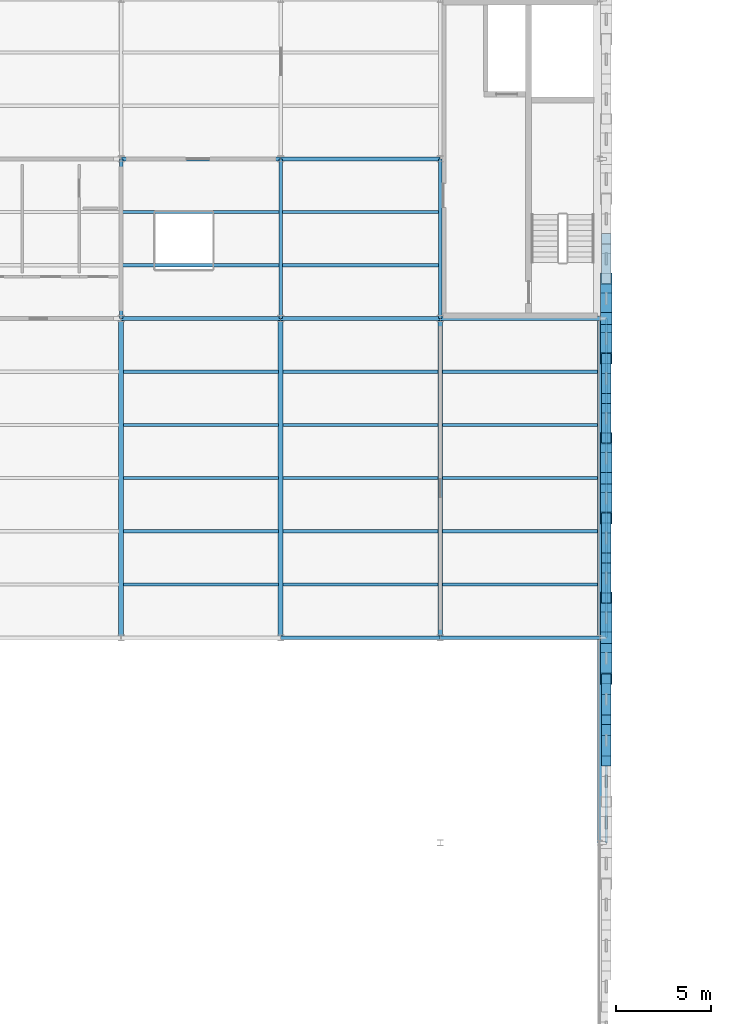
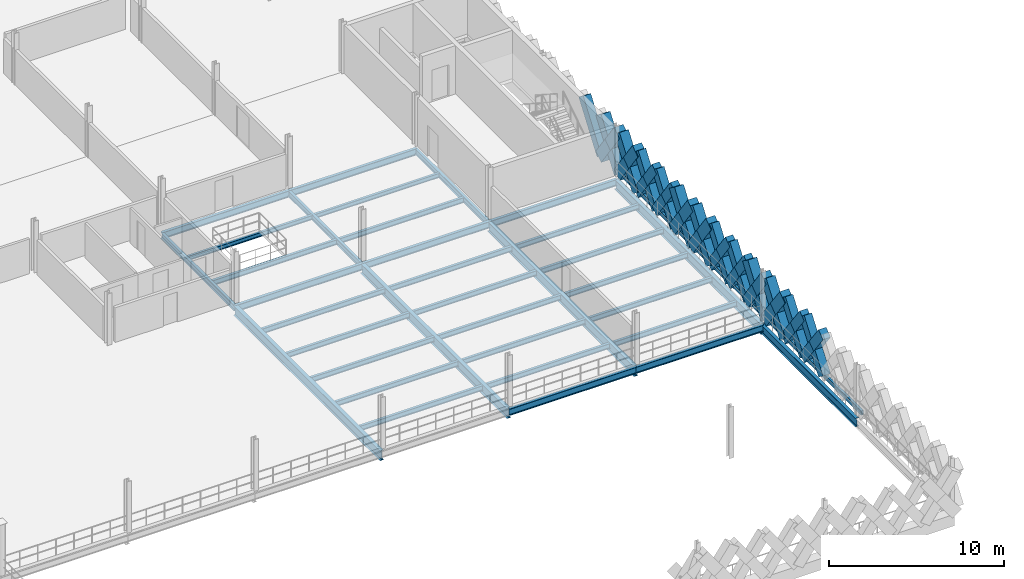
# One storey, part 19 of 47: 39 members, 34 beams.
"""IFC4 building model written with IfcOpenShell, lengths in metres."""

from ifc_helpers import new_model, si_unit, direction, frame, origin, origin_2d, place, context, subcontext, project, spatial, rectangle, hollow_rectangle, i_section, extrude, material, material_profile, profile_set, type_object, element, save


model = new_model("IFC4")

# Units and contexts
model_context = context("Model", 3, precision=1e-05, world=origin(), true_north=direction((0.0, 1.0)))
body_context = subcontext(model_context, "Body", "Model", "MODEL_VIEW")
ifc_project = project(units=[si_unit("LENGTHUNIT", "METRE"), si_unit("AREAUNIT", "SQUARE_METRE"), si_unit("VOLUMEUNIT", "CUBIC_METRE"), si_unit("PLANEANGLEUNIT", "RADIAN"), si_unit("MASSUNIT", "GRAM", prefix="KILO"), si_unit("THERMODYNAMICTEMPERATUREUNIT", "KELVIN"), si_unit("POWERUNIT", "WATT")], contexts=[model_context])

# Site, building, storey
site_placement = place(None, origin())
site = spatial("IfcSite", under=ifc_project, at=site_placement, CompositionType="ELEMENT")
building_placement = place(site_placement, origin())
building = spatial("IfcBuilding", under=site, at=building_placement, Name="Tembeka Court Mobility Hub", CompositionType="ELEMENT")
storey_placement = place(building_placement, frame((0.0, 0.0, 19.800048828125)))
storey = spatial("IfcBuildingStorey", under=building, at=storey_placement, Name="L05", CompositionType="ELEMENT", Elevation=19.800048828125)

# Beams
ifc_material_1 = material(Name="Steel S355", Category="steel")
ifc_material_profile_1 = material_profile(ifc_material_1, i_section(OverallWidth=0.18994140625, OverallDepth=0.45703125, WebThickness=0.009033203125, FlangeThickness=0.014404296875, FilletRadius=0.01025390625, at=origin_2d()), Name="UKB 457x191x74")
ifc_profile_set_1 = profile_set([ifc_material_profile_1], Name="Steel S355")
beam_type_1 = type_object("IfcBeamType", Name="BM-B01", PredefinedType="BEAM", material=ifc_profile_set_1)
for number, where, z_axis, x_axis, name in (
    (1, (75.60009765625, 21.60009765625, -0.448486328125), (1.0, 0.0, 0.0), (0.0, 1.0, 0.0), "Beam B01 (BM-L05-X2686)"),
    (2, (84.0, 21.60009765625, -0.448486328125), (1.0, 0.0, 0.0), (0.0, 1.0, 0.0), "Beam B01 (BM-L05-X2687)"),
):
    element("IfcBeam", number, at=place(storey_placement, frame(where, z_axis=z_axis, x_axis=x_axis)), inside=storey, type_object=beam_type_1, Name=name, PredefinedType="BEAM", context=body_context, shape_type="SweptSolid", body=[
        extrude(i_section(OverallWidth=0.18994140625, OverallDepth=0.45703125, WebThickness=0.009033203125, FlangeThickness=0.014404296875, FilletRadius=0.01025390625, at=origin_2d()), origin(), (0.0, 0.0, 1.0), 8.39990234375),
    ])
beam_1_placement = place(storey_placement, frame((67.199951171875, 38.39990234375, -0.448486328125), z_axis=(1.0, 0.0, 0.0), x_axis=(0.0, 1.0, 0.0)))
element("IfcBeam", 3, at=beam_1_placement, inside=storey, type_object=beam_type_1, Name="Beam B01 (BM-L05-X2699)", PredefinedType="BEAM", context=body_context, shape_type="SweptSolid", body=[
    extrude(i_section(OverallWidth=0.18994140625, OverallDepth=0.45703125, WebThickness=0.009033203125, FlangeThickness=0.014404296875, FilletRadius=0.01025390625, at=origin_2d()), origin(), (0.0, 0.0, 1.0), 8.400146484375),
])
for number, where, z_axis, x_axis, name in (
    (4, (75.60009765625, 38.39990234375, -0.448486328125), (1.0, 0.0, 0.0), (0.0, 1.0, 0.0), "Beam B01 (BM-L05-X2700)"),
    (5, (84.0, 38.39990234375, -0.448486328125), (1.0, 0.0, 0.0), (0.0, 1.0, 0.0), "Beam B01 (BM-L05-X2701)"),
):
    element("IfcBeam", number, at=place(storey_placement, frame(where, z_axis=z_axis, x_axis=x_axis)), inside=storey, type_object=beam_type_1, Name=name, PredefinedType="BEAM", context=body_context, shape_type="SweptSolid", body=[
        extrude(i_section(OverallWidth=0.18994140625, OverallDepth=0.45703125, WebThickness=0.009033203125, FlangeThickness=0.014404296875, FilletRadius=0.01025390625, at=origin_2d()), origin(), (0.0, 0.0, 1.0), 8.39990234375),
    ])
beam_2_placement = place(storey_placement, frame((67.199951171875, 46.800048828125, -0.448486328125), z_axis=(1.0, 0.0, 0.0), x_axis=(0.0, 1.0, 0.0)))
element("IfcBeam", 6, at=beam_2_placement, inside=storey, type_object=beam_type_1, Name="Beam B01 (BM-L05-X2709)", PredefinedType="BEAM", context=body_context, shape_type="SweptSolid", body=[
    extrude(i_section(OverallWidth=0.18994140625, OverallDepth=0.45703125, WebThickness=0.009033203125, FlangeThickness=0.014404296875, FilletRadius=0.01025390625, at=origin_2d()), origin(), (0.0, 0.0, 1.0), 8.400146484375),
])
beam_3_placement = place(storey_placement, frame((75.60009765625, 46.800048828125, -0.448486328125), z_axis=(1.0, 0.0, 0.0), x_axis=(0.0, 1.0, 0.0)))
element("IfcBeam", 7, at=beam_3_placement, inside=storey, type_object=beam_type_1, Name="Beam B01 (BM-L05-X2710)", PredefinedType="BEAM", context=body_context, shape_type="SweptSolid", body=[
    extrude(i_section(OverallWidth=0.18994140625, OverallDepth=0.45703125, WebThickness=0.009033203125, FlangeThickness=0.014404296875, FilletRadius=0.01025390625, at=origin_2d()), origin(), (0.0, 0.0, 1.0), 8.39990234375),
])
ifc_material_profile_2 = material_profile(ifc_material_1, i_section(OverallWidth=0.177978515625, OverallDepth=0.406005859375, WebThickness=0.0078125, FlangeThickness=0.0126953125, FilletRadius=0.01025390625, at=origin_2d()), Name="UKB 406x178x60")
ifc_profile_set_2 = profile_set([ifc_material_profile_2], Name="Steel S355")
beam_type_2 = type_object("IfcBeamType", Name="BM-B02", PredefinedType="BEAM", material=ifc_profile_set_2)
for number, where, z_axis, x_axis, name in (
    (8, (67.199951171875, 38.39990234375, -0.423095703125), (0.0, 1.0, 0.0), (-1.0, 0.0, 0.0), "Beam B02 (BM-L05-Y2842)"),
    (9, (75.60009765625, 38.39990234375, -0.423095703125), (0.0, 1.0, 0.0), (-1.0, 0.0, 0.0), "Beam B02 (BM-L05-Y2849)"),
    (10, (84.0, 38.39990234375, -0.423095703125), (0.0, 1.0, 0.0), (-1.0, 0.0, 0.0), "Beam B02 (BM-L05-Y2856)"),
):
    element("IfcBeam", number, at=place(storey_placement, frame(where, z_axis=z_axis, x_axis=x_axis)), inside=storey, type_object=beam_type_2, Name=name, PredefinedType="BEAM", context=body_context, shape_type="SweptSolid", body=[
        extrude(i_section(OverallWidth=0.177978515625, OverallDepth=0.406005859375, WebThickness=0.0078125, FlangeThickness=0.0126953125, FilletRadius=0.01025390625, at=origin_2d()), origin(), (0.0, 0.0, 1.0), 8.400146484375),
    ])
ifc_material_profile_3 = material_profile(ifc_material_1, i_section(OverallWidth=0.25390625, OverallDepth=0.68408203125, WebThickness=0.012451171875, FlangeThickness=0.01904296875, FilletRadius=0.01513671875, at=origin_2d()), Name="UKB 686x254x140")
ifc_profile_set_3 = profile_set([ifc_material_profile_3], Name="Steel S355")
beam_type_3 = type_object("IfcBeamType", Name="BM-G01", PredefinedType="USERDEFINED", material=ifc_profile_set_3)
for number, where, z_axis, x_axis, name in (
    (11, (67.199951171875, 21.60009765625, -0.56201171875), (0.0, 1.0, 0.0), (-1.0, 0.0, 0.0), "Beam G01 (BM-L05-Y2841)"),
    (12, (75.60009765625, 21.60009765625, -0.56201171875), (0.0, 1.0, 0.0), (-1.0, 0.0, 0.0), "Beam G01 (BM-L05-Y2848)"),
    (13, (84.0, 21.60009765625, -0.56201171875), (0.0, 1.0, 0.0), (-1.0, 0.0, 0.0), "Beam G01 (BM-L05-Y2855)"),
    (14, (92.39990234375, 21.60009765625, -0.56201171875), (0.0, 1.0, 0.0), (-1.0, 0.0, 0.0), "Beam G01 (BM-L05-Y2864)"),
):
    element("IfcBeam", number, at=place(storey_placement, frame(where, z_axis=z_axis, x_axis=x_axis)), inside=storey, type_object=beam_type_3, Name=name, ObjectType="GIRDER", PredefinedType="USERDEFINED", context=body_context, shape_type="SweptSolid", body=[
        extrude(i_section(OverallWidth=0.25390625, OverallDepth=0.68408203125, WebThickness=0.012451171875, FlangeThickness=0.01904296875, FilletRadius=0.01513671875, at=origin_2d()), origin(), (0.0, 0.0, 1.0), 16.7998046875),
    ])
ifc_material_profile_4 = material_profile(ifc_material_1, i_section(OverallWidth=0.22900390625, OverallDepth=0.612060546875, WebThickness=0.011962890625, FlangeThickness=0.01953125, FilletRadius=0.0126953125, at=origin_2d()), Name="UKB 610x229x125")
ifc_profile_set_4 = profile_set([ifc_material_profile_4], Name="Steel S355")
beam_type_4 = type_object("IfcBeamType", Name="BM-G02", PredefinedType="USERDEFINED", material=ifc_profile_set_4)
beam_4_placement = place(storey_placement, frame((92.39990234375, 10.800048828125, -0.526123046875), z_axis=(0.0, 1.0, 0.0), x_axis=(-1.0, 0.0, 0.0)))
element("IfcBeam", 15, at=beam_4_placement, inside=storey, type_object=beam_type_4, Name="Beam G02 (BM-L05-Y2863)", ObjectType="GIRDER", PredefinedType="USERDEFINED", context=body_context, shape_type="SweptSolid", body=[
    extrude(i_section(OverallWidth=0.22900390625, OverallDepth=0.612060546875, WebThickness=0.011962890625, FlangeThickness=0.01953125, FilletRadius=0.0126953125, at=origin_2d()), origin(), (0.0, 0.0, 1.0), 10.800048828125),
])
ifc_material_profile_5 = material_profile(ifc_material_1, i_section(OverallWidth=0.172119140625, OverallDepth=0.35498046875, WebThickness=0.00732421875, FlangeThickness=0.011474609375, FilletRadius=0.01025390625, at=origin_2d()), Name="UKB 356x171x51")
ifc_profile_set_5 = profile_set([ifc_material_profile_5], Name="Steel S355")
beam_type_5 = type_object("IfcBeamType", Name="BM-J01", PredefinedType="JOIST", material=ifc_profile_set_5)
for number, where, z_axis, x_axis, name in (
    (16, (67.322021484375, 24.39990234375, -0.3974609375), (1.0, 0.0, 0.0), (0.0, 1.0, 0.0), "Beam J01 (JST-L05-3025)"),
    (17, (67.322021484375, 27.199951171875, -0.3974609375), (1.0, 0.0, 0.0), (0.0, 1.0, 0.0), "Beam J01 (JST-L05-3026)"),
    (18, (67.322021484375, 30.0, -0.3974609375), (1.0, 0.0, 0.0), (0.0, 1.0, 0.0), "Beam J01 (JST-L05-3027)"),
    (19, (67.322021484375, 32.800048828125, -0.3974609375), (1.0, 0.0, 0.0), (0.0, 1.0, 0.0), "Beam J01 (JST-L05-3028)"),
    (20, (67.322021484375, 35.60009765625, -0.3974609375), (1.0, 0.0, 0.0), (0.0, 1.0, 0.0), "Beam J01 (JST-L05-3029)"),
    (21, (75.721923828125, 24.39990234375, -0.3974609375), (1.0, 0.0, 0.0), (0.0, 1.0, 0.0), "Beam J01 (JST-L05-3045)"),
    (22, (75.721923828125, 27.199951171875, -0.3974609375), (1.0, 0.0, 0.0), (0.0, 1.0, 0.0), "Beam J01 (JST-L05-3046)"),
    (23, (75.721923828125, 30.0, -0.3974609375), (1.0, 0.0, 0.0), (0.0, 1.0, 0.0), "Beam J01 (JST-L05-3047)"),
    (24, (75.721923828125, 32.800048828125, -0.3974609375), (1.0, 0.0, 0.0), (0.0, 1.0, 0.0), "Beam J01 (JST-L05-3048)"),
    (25, (75.721923828125, 35.60009765625, -0.3974609375), (1.0, 0.0, 0.0), (0.0, 1.0, 0.0), "Beam J01 (JST-L05-3049)"),
    (26, (84.1220703125, 24.39990234375, -0.3974609375), (1.0, 0.0, 0.0), (0.0, 1.0, 0.0), "Beam J01 (JST-L05-3065)"),
    (27, (84.1220703125, 27.199951171875, -0.3974609375), (1.0, 0.0, 0.0), (0.0, 1.0, 0.0), "Beam J01 (JST-L05-3066)"),
    (28, (84.1220703125, 30.0, -0.3974609375), (1.0, 0.0, 0.0), (0.0, 1.0, 0.0), "Beam J01 (JST-L05-3067)"),
    (29, (84.1220703125, 32.800048828125, -0.3974609375), (1.0, 0.0, 0.0), (0.0, 1.0, 0.0), "Beam J01 (JST-L05-3068)"),
    (30, (84.1220703125, 35.60009765625, -0.3974609375), (1.0, 0.0, 0.0), (0.0, 1.0, 0.0), "Beam J01 (JST-L05-3069)"),
):
    element("IfcBeam", number, at=place(storey_placement, frame(where, z_axis=z_axis, x_axis=x_axis)), inside=storey, type_object=beam_type_5, Name=name, PredefinedType="JOIST", context=body_context, shape_type="SweptSolid", body=[
        extrude(i_section(OverallWidth=0.172119140625, OverallDepth=0.35498046875, WebThickness=0.00732421875, FlangeThickness=0.011474609375, FilletRadius=0.01025390625, at=origin_2d()), origin(), (0.0, 0.0, 1.0), 8.156005859375),
    ])
ifc_material_profile_6 = material_profile(ifc_material_1, i_section(OverallWidth=0.1650390625, OverallDepth=0.303955078125, WebThickness=0.006103515625, FlangeThickness=0.01025390625, FilletRadius=0.0087890625, at=origin_2d()), Name="UKB 305x165x40")
ifc_profile_set_6 = profile_set([ifc_material_profile_6], Name="Steel S355")
beam_type_6 = type_object("IfcBeamType", Name="BM-J02", PredefinedType="JOIST", material=ifc_profile_set_6)
beam_5_placement = place(storey_placement, frame((67.283935546875, 44.0, -0.3720703125), z_axis=(1.0, 0.0, 0.0), x_axis=(0.0, 1.0, 0.0)))
element("IfcBeam", 31, at=beam_5_placement, inside=storey, type_object=beam_type_6, Name="Beam J02 (JST-L05-3031)", PredefinedType="JOIST", context=body_context, shape_type="SweptSolid", body=[
    extrude(i_section(OverallWidth=0.1650390625, OverallDepth=0.303955078125, WebThickness=0.006103515625, FlangeThickness=0.01025390625, FilletRadius=0.0087890625, at=origin_2d()), origin(), (0.0, 0.0, 1.0), 8.232177734375),
])
beam_6_placement = place(storey_placement, frame((75.68408203125, 44.0, -0.3720703125), z_axis=(1.0, 0.0, 0.0), x_axis=(0.0, 1.0, 0.0)))
element("IfcBeam", 32, at=beam_6_placement, inside=storey, type_object=beam_type_6, Name="Beam J02 (JST-L05-3051)", PredefinedType="JOIST", context=body_context, shape_type="SweptSolid", body=[
    extrude(i_section(OverallWidth=0.1650390625, OverallDepth=0.303955078125, WebThickness=0.006103515625, FlangeThickness=0.01025390625, FilletRadius=0.0087890625, at=origin_2d()), origin(), (0.0, 0.0, 1.0), 8.23193359375),
])
ifc_material_profile_7 = material_profile(ifc_material_1, i_section(OverallWidth=0.169921875, OverallDepth=0.360107421875, WebThickness=0.008056640625, FlangeThickness=0.0126953125, FilletRadius=0.01806640625, at=origin_2d()), Name="IPE 360")
ifc_profile_set_7 = profile_set([ifc_material_profile_7], Name="Steel S355")
beam_type_7 = type_object("IfcBeamType", Name="BM-J03", PredefinedType="JOIST", material=ifc_profile_set_7)
beam_7_placement = place(storey_placement, frame((67.283935546875, 41.199951171875, -0.400146484375), z_axis=(1.0, 0.0, 0.0), x_axis=(0.0, 1.0, 0.0)))
element("IfcBeam", 33, at=beam_7_placement, inside=storey, type_object=beam_type_7, Name="Beam J03 (JST-L05-3030)", PredefinedType="JOIST", context=body_context, shape_type="SweptSolid", body=[
    extrude(i_section(OverallWidth=0.169921875, OverallDepth=0.360107421875, WebThickness=0.008056640625, FlangeThickness=0.0126953125, FilletRadius=0.01806640625, at=origin_2d()), origin(), (0.0, 0.0, 1.0), 8.232177734375),
])
beam_8_placement = place(storey_placement, frame((75.68408203125, 41.199951171875, -0.400146484375), z_axis=(1.0, 0.0, 0.0), x_axis=(0.0, 1.0, 0.0)))
element("IfcBeam", 34, at=beam_8_placement, inside=storey, type_object=beam_type_7, Name="Beam J03 (JST-L05-3050)", PredefinedType="JOIST", context=body_context, shape_type="SweptSolid", body=[
    extrude(i_section(OverallWidth=0.169921875, OverallDepth=0.360107421875, WebThickness=0.008056640625, FlangeThickness=0.0126953125, FilletRadius=0.01806640625, at=origin_2d()), origin(), (0.0, 0.0, 1.0), 8.23193359375),
])

# Members
ifc_material_2 = material(Name="Precast concrete C45/55", Category="concrete")
ifc_material_profile_8 = material_profile(ifc_material_2, rectangle(XDim=0.5, YDim=0.64990234375, at=origin_2d()), Name="PC-DIAG 500x650")
ifc_profile_set_8 = profile_set([ifc_material_profile_8], Name="Precast concrete C45/55")
member_type_1 = type_object("IfcMemberType", Name="MEM-DL01", PredefinedType="BRACE", material=ifc_profile_set_8)
member_1_placement = place(storey_placement, frame((92.739990234375, 15.1201171875, 0.02001953125), z_axis=(0.0, 0.593379766398, 0.804922637792), x_axis=(-1.0, 0.0, 0.0)))
element("IfcMember", 35, at=member_1_placement, inside=storey, type_object=member_type_1, Name="Precast diamond lattice continuous strand DL01 (L05-940C)", PredefinedType="BRACE", context=body_context, shape_type="SweptSolid", body=[
    extrude(rectangle(XDim=0.5, YDim=0.64990234375, at=origin_2d()), origin(), (0.0, 0.0, 1.0), 3.64013671875),
])
for number, where, z_axis, x_axis, name in (
    (36, (92.739990234375, 17.280029296875, 0.02001953125), (0.0, -0.593455255298, 0.804866982773), (1.0, 0.0, 0.0), "Precast diamond lattice split lower strand DL01 (L05-940D1)"),
    (37, (92.739990234375, 16.199951171875, 1.48486328125), (0.0, -0.593304274421, 0.804978284151), (1.0, 0.0, 0.0), "Precast diamond lattice split upper strand DL01 (L05-940D2)"),
):
    element("IfcMember", number, at=place(storey_placement, frame(where, z_axis=z_axis, x_axis=x_axis)), inside=storey, type_object=member_type_1, Name=name, PredefinedType="BRACE", context=body_context, shape_type="SweptSolid", body=[
        extrude(rectangle(XDim=0.5, YDim=0.64990234375, at=origin_2d()), origin(), (0.0, 0.0, 1.0), 1.820068359375),
    ])
member_2_placement = place(storey_placement, frame((92.739990234375, 17.280029296875, 0.02001953125), z_axis=(0.0, 0.593379766398, 0.804922637792), x_axis=(-1.0, 0.0, 0.0)))
element("IfcMember", 38, at=member_2_placement, inside=storey, type_object=member_type_1, Name="Precast diamond lattice continuous strand DL01 (L05-941C)", PredefinedType="BRACE", context=body_context, shape_type="SweptSolid", body=[
    extrude(rectangle(XDim=0.5, YDim=0.64990234375, at=origin_2d()), origin(), (0.0, 0.0, 1.0), 3.64013671875),
])
member_3_placement = place(storey_placement, frame((92.739990234375, 19.43994140625, 0.02001953125), z_axis=(0.0, -0.593368344659, 0.804931057642), x_axis=(1.0, 0.0, 0.0)))
element("IfcMember", 39, at=member_3_placement, inside=storey, type_object=member_type_1, Name="Precast diamond lattice split lower strand DL01 (L05-941D1)", PredefinedType="BRACE", context=body_context, shape_type="SweptSolid", body=[
    extrude(rectangle(XDim=0.5, YDim=0.64990234375, at=origin_2d()), origin(), (0.0, 0.0, 1.0), 1.81982421875),
])
member_4_placement = place(storey_placement, frame((92.739990234375, 18.360107421875, 1.48486328125), z_axis=(0.0, -0.593391185876, 0.804914219358), x_axis=(1.0, 0.0, 0.0)))
element("IfcMember", 40, at=member_4_placement, inside=storey, type_object=member_type_1, Name="Precast diamond lattice split upper strand DL01 (L05-941D2)", PredefinedType="BRACE", context=body_context, shape_type="SweptSolid", body=[
    extrude(rectangle(XDim=0.5, YDim=0.64990234375, at=origin_2d()), origin(), (0.0, 0.0, 1.0), 1.820068359375),
])
member_5_placement = place(storey_placement, frame((92.739990234375, 23.699951171875, 0.02001953125), z_axis=(0.0, 0.582576362011, 0.812775973086), x_axis=(-1.0, 0.0, 0.0)))
element("IfcMember", 41, at=member_5_placement, inside=storey, type_object=member_type_1, Name="Precast diamond lattice continuous strand DL01 (L05-944C)", PredefinedType="BRACE", context=body_context, shape_type="SweptSolid", body=[
    extrude(rectangle(XDim=0.5, YDim=0.64990234375, at=origin_2d()), origin(), (0.0, 0.0, 1.0), 3.604736328125),
])
member_6_placement = place(storey_placement, frame((92.739990234375, 25.800048828125, 0.02001953125), z_axis=(0.0, -0.582608431711, 0.812752985414), x_axis=(1.0, 0.0, 0.0)))
element("IfcMember", 42, at=member_6_placement, inside=storey, type_object=member_type_1, Name="Precast diamond lattice split lower strand DL01 (L05-944D1)", PredefinedType="BRACE", context=body_context, shape_type="SweptSolid", body=[
    extrude(rectangle(XDim=0.5, YDim=0.64990234375, at=origin_2d()), origin(), (0.0, 0.0, 1.0), 1.80224609375),
])
member_7_placement = place(storey_placement, frame((92.739990234375, 24.75, 1.48486328125), z_axis=(0.0, -0.582544294934, 0.812798956963), x_axis=(1.0, 0.0, 0.0)))
element("IfcMember", 43, at=member_7_placement, inside=storey, type_object=member_type_1, Name="Precast diamond lattice split upper strand DL01 (L05-944D2)", PredefinedType="BRACE", context=body_context, shape_type="SweptSolid", body=[
    extrude(rectangle(XDim=0.5, YDim=0.64990234375, at=origin_2d()), origin(), (0.0, 0.0, 1.0), 1.802490234375),
])
member_8_placement = place(storey_placement, frame((92.739990234375, 25.800048828125, 0.02001953125), z_axis=(0.0, 0.58253161945, 0.812808041509), x_axis=(-1.0, 0.0, 0.0)))
element("IfcMember", 44, at=member_8_placement, inside=storey, type_object=member_type_1, Name="Precast diamond lattice continuous strand DL01 (L05-945C)", PredefinedType="BRACE", context=body_context, shape_type="SweptSolid", body=[
    extrude(rectangle(XDim=0.5, YDim=0.64990234375, at=origin_2d()), origin(), (0.0, 0.0, 1.0), 3.604736328125),
])
member_9_placement = place(storey_placement, frame((92.739990234375, 27.89990234375, 0.02001953125), z_axis=(0.0, -0.582518941428, 0.812817127574), x_axis=(1.0, 0.0, 0.0)))
element("IfcMember", 45, at=member_9_placement, inside=storey, type_object=member_type_1, Name="Precast diamond lattice split lower strand DL01 (L05-945D1)", PredefinedType="BRACE", context=body_context, shape_type="SweptSolid", body=[
    extrude(rectangle(XDim=0.5, YDim=0.64990234375, at=origin_2d()), origin(), (0.0, 0.0, 1.0), 1.80224609375),
])
member_10_placement = place(storey_placement, frame((92.739990234375, 26.85009765625, 1.48486328125), z_axis=(0.0, -0.582544294934, 0.812798956963), x_axis=(1.0, 0.0, 0.0)))
element("IfcMember", 46, at=member_10_placement, inside=storey, type_object=member_type_1, Name="Precast diamond lattice split upper strand DL01 (L05-945D2)", PredefinedType="BRACE", context=body_context, shape_type="SweptSolid", body=[
    extrude(rectangle(XDim=0.5, YDim=0.64990234375, at=origin_2d()), origin(), (0.0, 0.0, 1.0), 1.802490234375),
])
member_11_placement = place(storey_placement, frame((92.739990234375, 32.10009765625, 0.02001953125), z_axis=(0.0, 0.58253161945, 0.812808041509), x_axis=(-1.0, 0.0, 0.0)))
element("IfcMember", 47, at=member_11_placement, inside=storey, type_object=member_type_1, Name="Precast diamond lattice continuous strand DL01 (L05-948C)", PredefinedType="BRACE", context=body_context, shape_type="SweptSolid", body=[
    extrude(rectangle(XDim=0.5, YDim=0.64990234375, at=origin_2d()), origin(), (0.0, 0.0, 1.0), 3.604736328125),
])
member_12_placement = place(storey_placement, frame((92.739990234375, 34.199951171875, 0.02001953125), z_axis=(0.0, -0.582608431711, 0.812752985414), x_axis=(1.0, 0.0, 0.0)))
element("IfcMember", 48, at=member_12_placement, inside=storey, type_object=member_type_1, Name="Precast diamond lattice split lower strand DL01 (L05-948D1)", PredefinedType="BRACE", context=body_context, shape_type="SweptSolid", body=[
    extrude(rectangle(XDim=0.5, YDim=0.64990234375, at=origin_2d()), origin(), (0.0, 0.0, 1.0), 1.80224609375),
])
member_13_placement = place(storey_placement, frame((92.739990234375, 33.14990234375, 1.48486328125), z_axis=(0.0, -0.582454804382, 0.812863088627), x_axis=(1.0, 0.0, 0.0)))
element("IfcMember", 49, at=member_13_placement, inside=storey, type_object=member_type_1, Name="Precast diamond lattice split upper strand DL01 (L05-948D2)", PredefinedType="BRACE", context=body_context, shape_type="SweptSolid", body=[
    extrude(rectangle(XDim=0.5, YDim=0.64990234375, at=origin_2d()), origin(), (0.0, 0.0, 1.0), 1.802490234375),
])
member_14_placement = place(storey_placement, frame((92.739990234375, 34.199951171875, 0.02001953125), z_axis=(0.0, 0.582576362011, 0.812775973086), x_axis=(-1.0, 0.0, 0.0)))
element("IfcMember", 50, at=member_14_placement, inside=storey, type_object=member_type_1, Name="Precast diamond lattice continuous strand DL01 (L05-949C)", PredefinedType="BRACE", context=body_context, shape_type="SweptSolid", body=[
    extrude(rectangle(XDim=0.5, YDim=0.64990234375, at=origin_2d()), origin(), (0.0, 0.0, 1.0), 3.604736328125),
])
member_15_placement = place(storey_placement, frame((92.739990234375, 36.300048828125, 0.02001953125), z_axis=(0.0, -0.582608431711, 0.812752985414), x_axis=(1.0, 0.0, 0.0)))
element("IfcMember", 51, at=member_15_placement, inside=storey, type_object=member_type_1, Name="Precast diamond lattice split lower strand DL01 (L05-949D1)", PredefinedType="BRACE", context=body_context, shape_type="SweptSolid", body=[
    extrude(rectangle(XDim=0.5, YDim=0.64990234375, at=origin_2d()), origin(), (0.0, 0.0, 1.0), 1.80224609375),
])
member_16_placement = place(storey_placement, frame((92.739990234375, 35.25, 1.48486328125), z_axis=(0.0, -0.582544294934, 0.812798956963), x_axis=(1.0, 0.0, 0.0)))
element("IfcMember", 52, at=member_16_placement, inside=storey, type_object=member_type_1, Name="Precast diamond lattice split upper strand DL01 (L05-949D2)", PredefinedType="BRACE", context=body_context, shape_type="SweptSolid", body=[
    extrude(rectangle(XDim=0.5, YDim=0.64990234375, at=origin_2d()), origin(), (0.0, 0.0, 1.0), 1.802490234375),
])
member_17_placement = place(storey_placement, frame((92.739990234375, 40.5, 0.02001953125), z_axis=(0.0, 0.582576362011, 0.812775973086), x_axis=(-1.0, 0.0, 0.0)))
element("IfcMember", 53, at=member_17_placement, inside=storey, type_object=member_type_1, Name="Precast diamond lattice continuous strand DL01 (L05-952C)", PredefinedType="BRACE", context=body_context, shape_type="SweptSolid", body=[
    extrude(rectangle(XDim=0.5, YDim=0.64990234375, at=origin_2d()), origin(), (0.0, 0.0, 1.0), 3.604736328125),
])
ifc_material_profile_9 = material_profile(ifc_material_2, rectangle(XDim=0.60009765625, YDim=0.75, at=origin_2d()), Name="PC-DIAG 600x750")
ifc_profile_set_9 = profile_set([ifc_material_profile_9], Name="Precast concrete C45/55")
member_type_2 = type_object("IfcMemberType", Name="MEM-DL02", PredefinedType="BRACE", material=ifc_profile_set_9)
member_18_placement = place(storey_placement, frame((92.739990234375, 19.43994140625, 0.02001953125), z_axis=(0.0, 0.593423219328, 0.804890602978), x_axis=(-1.0, 0.0, 0.0)))
element("IfcMember", 54, at=member_18_placement, inside=storey, type_object=member_type_2, Name="Precast diamond lattice continuous strand DL02 (L05-942C)", PredefinedType="BRACE", context=body_context, shape_type="SweptSolid", body=[
    extrude(rectangle(XDim=0.60009765625, YDim=0.75, at=origin_2d()), origin(), (0.0, 0.0, 1.0), 3.64013671875),
])
for number, where, z_axis, x_axis, name in (
    (55, (92.739990234375, 21.60009765625, 0.02001953125), (0.0, -0.593455255298, 0.804866982773), (1.0, 0.0, 0.0), "Precast diamond lattice split lower strand DL02 (L05-942D1)"),
    (56, (92.739990234375, 20.52001953125, 1.48486328125), (0.0, -0.593391185876, 0.804914219358), (1.0, 0.0, 0.0), "Precast diamond lattice split upper strand DL02 (L05-942D2)"),
):
    element("IfcMember", number, at=place(storey_placement, frame(where, z_axis=z_axis, x_axis=x_axis)), inside=storey, type_object=member_type_2, Name=name, PredefinedType="BRACE", context=body_context, shape_type="SweptSolid", body=[
        extrude(rectangle(XDim=0.60009765625, YDim=0.75, at=origin_2d()), origin(), (0.0, 0.0, 1.0), 1.820068359375),
    ])
member_19_placement = place(storey_placement, frame((92.739990234375, 21.60009765625, 0.02001953125), z_axis=(0.0, 0.58253161945, 0.812808041509), x_axis=(-1.0, 0.0, 0.0)))
element("IfcMember", 57, at=member_19_placement, inside=storey, type_object=member_type_2, Name="Precast diamond lattice continuous strand DL02 (L05-943C)", PredefinedType="BRACE", context=body_context, shape_type="SweptSolid", body=[
    extrude(rectangle(XDim=0.60009765625, YDim=0.75, at=origin_2d()), origin(), (0.0, 0.0, 1.0), 3.604736328125),
])
member_20_placement = place(storey_placement, frame((92.739990234375, 23.699951171875, 0.02001953125), z_axis=(0.0, -0.582608431711, 0.812752985414), x_axis=(1.0, 0.0, 0.0)))
element("IfcMember", 58, at=member_20_placement, inside=storey, type_object=member_type_2, Name="Precast diamond lattice split lower strand DL02 (L05-943D1)", PredefinedType="BRACE", context=body_context, shape_type="SweptSolid", body=[
    extrude(rectangle(XDim=0.60009765625, YDim=0.75, at=origin_2d()), origin(), (0.0, 0.0, 1.0), 1.80224609375),
])
member_21_placement = place(storey_placement, frame((92.739990234375, 22.64990234375, 1.48486328125), z_axis=(0.0, -0.582454804382, 0.812863088627), x_axis=(1.0, 0.0, 0.0)))
element("IfcMember", 59, at=member_21_placement, inside=storey, type_object=member_type_2, Name="Precast diamond lattice split upper strand DL02 (L05-943D2)", PredefinedType="BRACE", context=body_context, shape_type="SweptSolid", body=[
    extrude(rectangle(XDim=0.60009765625, YDim=0.75, at=origin_2d()), origin(), (0.0, 0.0, 1.0), 1.802490234375),
])
member_22_placement = place(storey_placement, frame((92.739990234375, 27.89990234375, 0.02001953125), z_axis=(0.0, 0.582576362011, 0.812775973086), x_axis=(-1.0, 0.0, 0.0)))
element("IfcMember", 60, at=member_22_placement, inside=storey, type_object=member_type_2, Name="Precast diamond lattice continuous strand DL02 (L05-946C)", PredefinedType="BRACE", context=body_context, shape_type="SweptSolid", body=[
    extrude(rectangle(XDim=0.60009765625, YDim=0.75, at=origin_2d()), origin(), (0.0, 0.0, 1.0), 3.604736328125),
])
member_23_placement = place(storey_placement, frame((92.739990234375, 30.0, 0.02001953125), z_axis=(0.0, -0.582608431711, 0.812752985414), x_axis=(1.0, 0.0, 0.0)))
element("IfcMember", 61, at=member_23_placement, inside=storey, type_object=member_type_2, Name="Precast diamond lattice split lower strand DL02 (L05-946D1)", PredefinedType="BRACE", context=body_context, shape_type="SweptSolid", body=[
    extrude(rectangle(XDim=0.60009765625, YDim=0.75, at=origin_2d()), origin(), (0.0, 0.0, 1.0), 1.80224609375),
])
member_24_placement = place(storey_placement, frame((92.739990234375, 28.949951171875, 1.48486328125), z_axis=(0.0, -0.582544294934, 0.812798956963), x_axis=(1.0, 0.0, 0.0)))
element("IfcMember", 62, at=member_24_placement, inside=storey, type_object=member_type_2, Name="Precast diamond lattice split upper strand DL02 (L05-946D2)", PredefinedType="BRACE", context=body_context, shape_type="SweptSolid", body=[
    extrude(rectangle(XDim=0.60009765625, YDim=0.75, at=origin_2d()), origin(), (0.0, 0.0, 1.0), 1.802490234375),
])
member_25_placement = place(storey_placement, frame((92.739990234375, 30.0, 0.02001953125), z_axis=(0.0, 0.582576362011, 0.812775973086), x_axis=(-1.0, 0.0, 0.0)))
element("IfcMember", 63, at=member_25_placement, inside=storey, type_object=member_type_2, Name="Precast diamond lattice continuous strand DL02 (L05-947C)", PredefinedType="BRACE", context=body_context, shape_type="SweptSolid", body=[
    extrude(rectangle(XDim=0.60009765625, YDim=0.75, at=origin_2d()), origin(), (0.0, 0.0, 1.0), 3.604736328125),
])
member_26_placement = place(storey_placement, frame((92.739990234375, 32.10009765625, 0.02001953125), z_axis=(0.0, -0.582608431711, 0.812752985414), x_axis=(1.0, 0.0, 0.0)))
element("IfcMember", 64, at=member_26_placement, inside=storey, type_object=member_type_2, Name="Precast diamond lattice split lower strand DL02 (L05-947D1)", PredefinedType="BRACE", context=body_context, shape_type="SweptSolid", body=[
    extrude(rectangle(XDim=0.60009765625, YDim=0.75, at=origin_2d()), origin(), (0.0, 0.0, 1.0), 1.80224609375),
])
member_27_placement = place(storey_placement, frame((92.739990234375, 31.050048828125, 1.48486328125), z_axis=(0.0, -0.582544294934, 0.812798956963), x_axis=(1.0, 0.0, 0.0)))
element("IfcMember", 65, at=member_27_placement, inside=storey, type_object=member_type_2, Name="Precast diamond lattice split upper strand DL02 (L05-947D2)", PredefinedType="BRACE", context=body_context, shape_type="SweptSolid", body=[
    extrude(rectangle(XDim=0.60009765625, YDim=0.75, at=origin_2d()), origin(), (0.0, 0.0, 1.0), 1.802490234375),
])
member_28_placement = place(storey_placement, frame((92.739990234375, 36.300048828125, 0.02001953125), z_axis=(0.0, 0.58253161945, 0.812808041509), x_axis=(-1.0, 0.0, 0.0)))
element("IfcMember", 66, at=member_28_placement, inside=storey, type_object=member_type_2, Name="Precast diamond lattice continuous strand DL02 (L05-950C)", PredefinedType="BRACE", context=body_context, shape_type="SweptSolid", body=[
    extrude(rectangle(XDim=0.60009765625, YDim=0.75, at=origin_2d()), origin(), (0.0, 0.0, 1.0), 3.604736328125),
])
member_29_placement = place(storey_placement, frame((92.739990234375, 38.39990234375, 0.02001953125), z_axis=(0.0, -0.582518941428, 0.812817127574), x_axis=(1.0, 0.0, 0.0)))
element("IfcMember", 67, at=member_29_placement, inside=storey, type_object=member_type_2, Name="Precast diamond lattice split lower strand DL02 (L05-950D1)", PredefinedType="BRACE", context=body_context, shape_type="SweptSolid", body=[
    extrude(rectangle(XDim=0.60009765625, YDim=0.75, at=origin_2d()), origin(), (0.0, 0.0, 1.0), 1.80224609375),
])
member_30_placement = place(storey_placement, frame((92.739990234375, 37.35009765625, 1.48486328125), z_axis=(0.0, -0.582544294934, 0.812798956963), x_axis=(1.0, 0.0, 0.0)))
element("IfcMember", 68, at=member_30_placement, inside=storey, type_object=member_type_2, Name="Precast diamond lattice split upper strand DL02 (L05-950D2)", PredefinedType="BRACE", context=body_context, shape_type="SweptSolid", body=[
    extrude(rectangle(XDim=0.60009765625, YDim=0.75, at=origin_2d()), origin(), (0.0, 0.0, 1.0), 1.802490234375),
])
member_31_placement = place(storey_placement, frame((92.739990234375, 38.39990234375, 0.02001953125), z_axis=(0.0, 0.582576362011, 0.812775973086), x_axis=(-1.0, 0.0, 0.0)))
element("IfcMember", 69, at=member_31_placement, inside=storey, type_object=member_type_2, Name="Precast diamond lattice continuous strand DL02 (L05-951C)", PredefinedType="BRACE", context=body_context, shape_type="SweptSolid", body=[
    extrude(rectangle(XDim=0.60009765625, YDim=0.75, at=origin_2d()), origin(), (0.0, 0.0, 1.0), 3.604736328125),
])
member_32_placement = place(storey_placement, frame((92.739990234375, 40.5, 0.02001953125), z_axis=(0.0, -0.582608431711, 0.812752985414), x_axis=(1.0, 0.0, 0.0)))
element("IfcMember", 70, at=member_32_placement, inside=storey, type_object=member_type_2, Name="Precast diamond lattice split lower strand DL02 (L05-951D1)", PredefinedType="BRACE", context=body_context, shape_type="SweptSolid", body=[
    extrude(rectangle(XDim=0.60009765625, YDim=0.75, at=origin_2d()), origin(), (0.0, 0.0, 1.0), 1.80224609375),
])
member_33_placement = place(storey_placement, frame((92.739990234375, 39.449951171875, 1.48486328125), z_axis=(0.0, -0.582544294934, 0.812798956963), x_axis=(1.0, 0.0, 0.0)))
element("IfcMember", 71, at=member_33_placement, inside=storey, type_object=member_type_2, Name="Precast diamond lattice split upper strand DL02 (L05-951D2)", PredefinedType="BRACE", context=body_context, shape_type="SweptSolid", body=[
    extrude(rectangle(XDim=0.60009765625, YDim=0.75, at=origin_2d()), origin(), (0.0, 0.0, 1.0), 1.802490234375),
])
ifc_material_profile_10 = material_profile(ifc_material_1, hollow_rectangle(XDim=0.14990234375, YDim=0.300048828125, WallThickness=0.010009765625, at=origin_2d()), Name="RHS 300x150x10")
ifc_profile_set_10 = profile_set([ifc_material_profile_10], Name="Steel S355")
member_type_3 = type_object("IfcMemberType", Name="MEM-ST03", PredefinedType="STRUT", material=ifc_profile_set_10)
member_34_placement = place(storey_placement, frame((92.739990234375, 10.800048828125, 0.02001953125), z_axis=(0.0, 1.0, 0.0), x_axis=(-1.0, 0.0, 0.0)))
element("IfcMember", 72, at=member_34_placement, inside=storey, type_object=member_type_3, Name="Proud lattice sill tie chord SR03 (L05-E-10)", PredefinedType="STRUT", context=body_context, shape_type="SweptSolid", body=[
    extrude(hollow_rectangle(XDim=0.14990234375, YDim=0.300048828125, WallThickness=0.010009765625, at=origin_2d()), origin(), (0.0, 0.0, 1.0), 10.800048828125),
])
member_35_placement = place(storey_placement, frame((92.739990234375, 21.60009765625, 0.02001953125), z_axis=(0.0, 1.0, 0.0), x_axis=(-1.0, 0.0, 0.0)))
element("IfcMember", 73, at=member_35_placement, inside=storey, type_object=member_type_3, Name="Proud lattice sill tie chord SR03 (L05-E-21)", PredefinedType="STRUT", context=body_context, shape_type="SweptSolid", body=[
    extrude(hollow_rectangle(XDim=0.14990234375, YDim=0.300048828125, WallThickness=0.010009765625, at=origin_2d()), origin(), (0.0, 0.0, 1.0), 16.7998046875),
])

save(model, "model.ifc")
